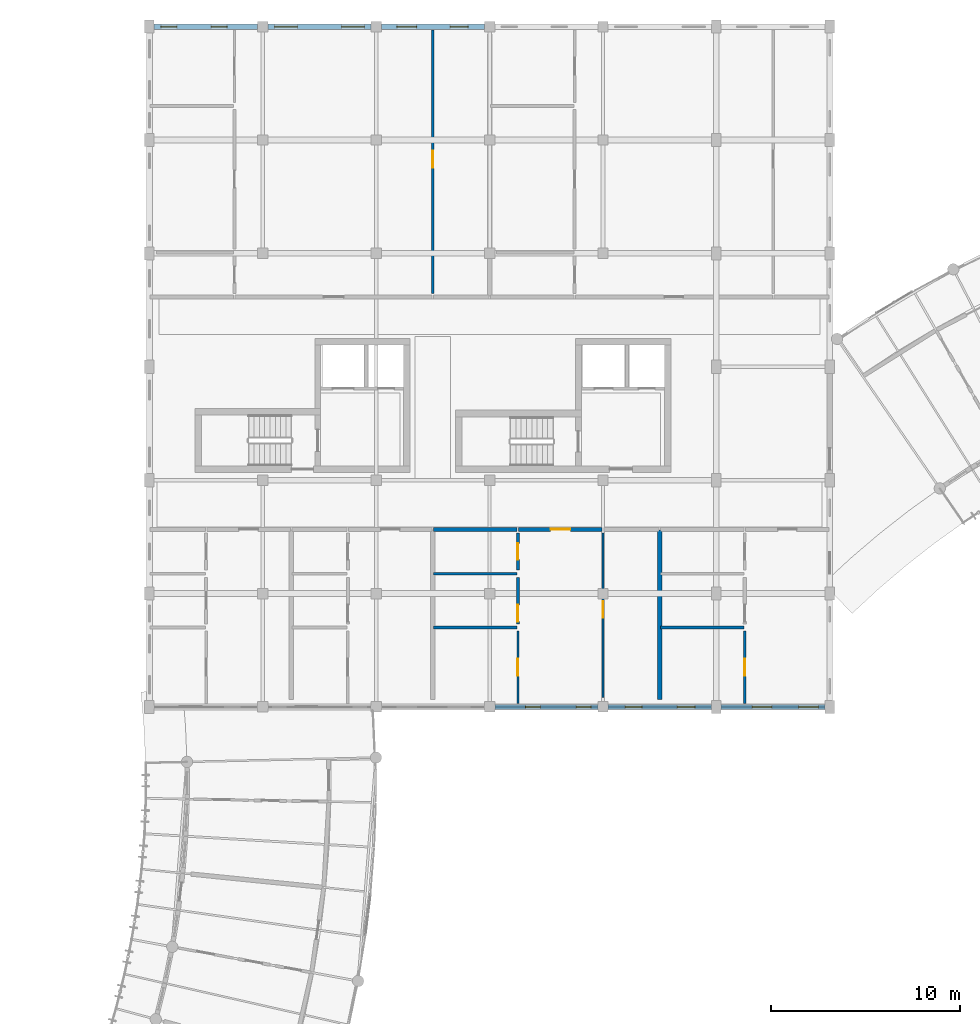
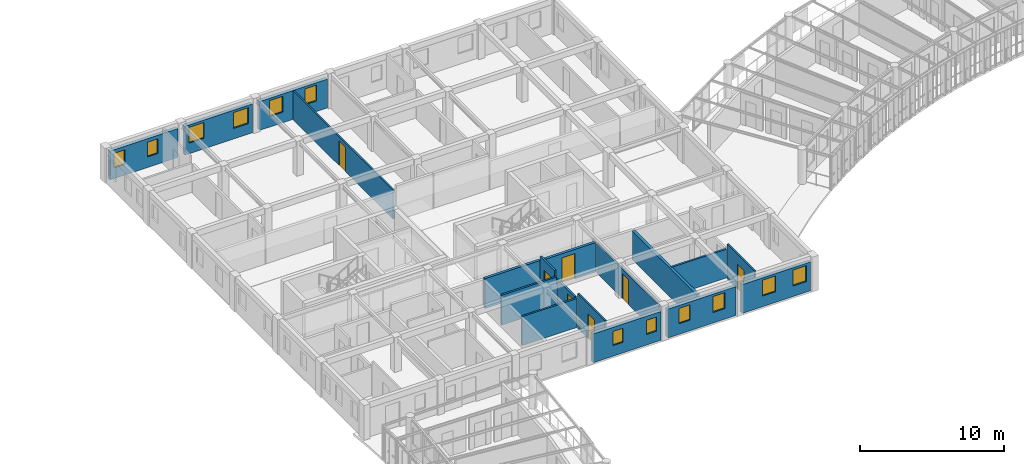
# One storey, part 70 of 101: 18 walls, 12 windows, 7 doors, 19 openings.
"""IFC4 building model written with IfcOpenShell, lengths in metres."""

from ifc_helpers import new_model, si_unit, direction, frame, frame_2d, origin, place, context, subcontext, project, spatial, rectangle, extrude, material, layer, layer_set, type_object, element, fill, save


model = new_model("IFC4")

# Units and contexts
model_context = context("Model", 3, precision=1e-05, world=origin(), true_north=direction((0.0, 1.0)))
body_context = subcontext(model_context, "Body", "Model", "MODEL_VIEW")
ifc_project = project(units=[si_unit("LENGTHUNIT", "METRE"), si_unit("AREAUNIT", "SQUARE_METRE"), si_unit("VOLUMEUNIT", "CUBIC_METRE"), si_unit("PLANEANGLEUNIT", "RADIAN"), si_unit("MASSUNIT", "GRAM", prefix="KILO"), si_unit("POWERUNIT", "WATT"), si_unit("THERMODYNAMICTEMPERATUREUNIT", "KELVIN")], contexts=[model_context])

# Site, building, storey
site_placement = place(None, origin())
site = spatial("IfcSite", under=ifc_project, at=site_placement, CompositionType="ELEMENT")
building_placement = place(site_placement, origin())
building = spatial("IfcBuilding", under=site, at=building_placement, Name="Ruvembo Vaulted Housing Court", CompositionType="ELEMENT")
storey_placement = place(building_placement, frame((0.0, 0.0, 17.300048828125)))
storey = spatial("IfcBuildingStorey", under=building, at=storey_placement, Name="L05", CompositionType="ELEMENT", Elevation=17.300048828125)

# Wall
ifc_material_1 = material(Name="Concrete Blockwork 210", Category="masonry")
ifc_layer_1 = layer(ifc_material_1, 0.2099609375, Name="Concrete Blockwork 210")
ifc_layer_set_1 = layer_set([ifc_layer_1], Name="Concrete Blockwork 210")
wall_type_1 = type_object("IfcWallType", Name="WL-CORR-210", PredefinedType="SOLIDWALL", material=ifc_layer_set_1)
wall_1_placement = place(storey_placement, frame((63.0400390625, 87.39990234375, 0.0), z_axis=(0.0, 0.0, 1.0), x_axis=(1.0, 0.0, 0.0)))
element("IfcWall", 1, at=wall_1_placement, inside=storey, type_object=wall_type_1, Name="L05 Flat B-L05-S3 Corridor Wall WL-INT-L05-01449", PredefinedType="SOLIDWALL", context=body_context, shape_type="SweptSolid", body=[
    extrude(rectangle(XDim=4.419921875, YDim=0.2099609375, at=frame_2d((2.2099609375, 0.0))), origin(), (0.0, 0.0, 1.0), 2.5478515625),
])

# Wall, opening, door
wall_2_placement = place(storey_placement, frame((67.5400390625, 87.39990234375, 0.0), z_axis=(0.0, 0.0, 1.0), x_axis=(1.0, 0.0, 0.0)))
wall_2 = element("IfcWall", 2, at=wall_2_placement, inside=storey, type_object=wall_type_1, Name="L05 Flat B-L05-S3 Entrance WL-INT-L05-01450", PredefinedType="SOLIDWALL", context=body_context, shape_type="SweptSolid", body=[
    extrude(rectangle(XDim=4.419921875, YDim=0.2099609375, at=frame_2d((2.2099609375, 0.0))), origin(), (0.0, 0.0, 1.0), 2.508056640625),
])
opening_1_placement = place(wall_2_placement, frame((1.68505859375, 0.0, 0.0)))
opening_1 = element("IfcOpeningElement", 3, at=opening_1_placement, cuts=wall_2, Name="Opening FD3", PredefinedType="OPENING", context=body_context, shape_type="SweptSolid", body=[
    extrude(rectangle(XDim=1.050048828125, YDim=2.14990234375, at=frame_2d((0.52490234375, 1.074951171875))), frame((0.0, 0.114990234375, 0.0), z_axis=(0.0, -1.0, 0.0), x_axis=(1.0, 0.0, 0.0)), (0.0, 0.0, 1.0), 0.22998046875),
])
ifc_material_2 = material(Name="FSC Hardwood and Engineered Timber", Category="wood")
door_type_1 = type_object("IfcDoorType", Name="DR-FLAT-1050x2150", OperationType="NOTDEFINED", PredefinedType="DOOR", material=ifc_material_2)
door_1_placement = place(opening_1_placement, origin())
door_1 = element("IfcDoor", 4, at=door_1_placement, inside=storey, type_object=door_type_1, Name="L05 Flat B-L05-S3 Entrance Door DR-INT-L05-00815", OperationType="SINGLE_SWING_LEFT", OverallHeight=2.14990234375, OverallWidth=1.050048828125, PredefinedType="DOOR", context=body_context, shape_type="SweptSolid", body=[
    extrude(rectangle(XDim=1.050048828125, YDim=2.14990234375, at=frame_2d((0.52490234375, 1.074951171875))), frame((0.0, 0.02490234375, 0.0), z_axis=(0.0, -1.0, 0.0), x_axis=(1.0, 0.0, 0.0)), (0.0, 0.0, 1.0), 0.050048828125),
])
fill(opening_1, door_1)

# Wall
ifc_material_3 = material(Name="Acoustic Masonry Demising 230", Category="masonry")
ifc_layer_2 = layer(ifc_material_3, 0.22998046875, Name="Acoustic Masonry Demising 230")
ifc_layer_set_2 = layer_set([ifc_layer_2], Name="Acoustic Masonry Demising 230")
wall_type_2 = type_object("IfcWallType", Name="WL-DEM-230", PredefinedType="SOLIDWALL", material=ifc_layer_set_2)
wall_3_placement = place(storey_placement, frame((75.0, 78.389892578125, 0.0), z_axis=(0.0, 0.0, 1.0), x_axis=(0.0, 1.0, 0.0)))
element("IfcWall", 5, at=wall_3_placement, inside=storey, type_object=wall_type_2, Name="L05 Demising B-L05-S3 WL-INT-L05-01448", PredefinedType="SOLIDWALL", context=body_context, shape_type="SweptSolid", body=[
    extrude(rectangle(XDim=8.97021484375, YDim=0.22998046875, at=frame_2d((4.485107421875, 0.0))), origin(), (0.0, 0.0, 1.0), 2.447021484375),
])

# Wall, openings, windows
ifc_material_4 = material(Name="Rendered Masonry 285", Category="masonry")
ifc_layer_3 = layer(ifc_material_4, 0.284912109375, Name="Rendered Masonry 285")
ifc_layer_set_3 = layer_set([ifc_layer_3], Name="Rendered Masonry 285")
wall_type_3 = type_object("IfcWallType", Name="WL-EXT-285", PredefinedType="STANDARD", material=ifc_layer_set_3)
wall_4_placement = place(storey_placement, frame((66.27490234375, 78.0, 0.0), z_axis=(0.0, 0.0, 1.0), x_axis=(1.0, 0.0, 0.0)))
wall_4 = element("IfcWall", 6, at=wall_4_placement, inside=storey, type_object=wall_type_3, Name="Block B L05 Exterior Wall COURTYARD #4", PredefinedType="STANDARD", context=body_context, shape_type="SweptSolid", body=[
    extrude(rectangle(XDim=5.4501953125, YDim=0.284912109375, at=frame_2d((2.72509765625, 0.0))), origin(), (0.0, 0.0, 1.0), 2.447021484375),
])
opening_2_placement = place(wall_4_placement, frame((1.614990234375, 0.0, 0.89990234375)))
opening_2 = element("IfcOpeningElement", 7, at=opening_2_placement, cuts=wall_4, Name="Opening W02", PredefinedType="OPENING", context=body_context, shape_type="SweptSolid", body=[
    extrude(rectangle(XDim=0.800048828125, YDim=1.199951171875, at=frame_2d((0.39990234375, 0.60009765625))), frame((0.0, 0.15234375, 0.0), z_axis=(0.0, -1.0, 0.0), x_axis=(1.0, 0.0, 0.0)), (0.0, 0.0, 1.0), 0.304931640625),
])
opening_3_placement = place(wall_4_placement, frame((4.300048828125, 0.0, 0.89990234375)))
opening_3 = element("IfcOpeningElement", 8, at=opening_3_placement, cuts=wall_4, Name="Opening W02", PredefinedType="OPENING", context=body_context, shape_type="SweptSolid", body=[
    extrude(rectangle(XDim=0.800048828125, YDim=1.199951171875, at=frame_2d((0.39990234375, 0.60009765625))), frame((0.0, 0.15234375, 0.0), z_axis=(0.0, -1.0, 0.0), x_axis=(1.0, 0.0, 0.0)), (0.0, 0.0, 1.0), 0.304931640625),
])
ifc_material_5 = material(Name="Double Solar-Control Glazing in Aluminium Frame", Category="aluminium")
window_type_1 = type_object("IfcWindowType", Name="WIN-0800x1200", PartitioningType="SINGLE_PANEL", PredefinedType="WINDOW", material=ifc_material_5)
window_1_placement = place(opening_2_placement, origin())
window_1 = element("IfcWindow", 9, at=window_1_placement, inside=storey, type_object=window_type_1, Name="Block B L05 Window #816", OverallHeight=1.199951171875, OverallWidth=0.800048828125, PartitioningType="SINGLE_PANEL", PredefinedType="WINDOW", context=body_context, shape_type="SweptSolid", body=[
    extrude(rectangle(XDim=0.800048828125, YDim=1.199951171875, at=frame_2d((0.39990234375, 0.60009765625))), frame((0.0, 0.030029296875, 0.0), z_axis=(0.0, -1.0, 0.0), x_axis=(1.0, 0.0, 0.0)), (0.0, 0.0, 1.0), 0.06005859375),
])
fill(opening_2, window_1)
window_2_placement = place(opening_3_placement, origin())
window_2 = element("IfcWindow", 10, at=window_2_placement, inside=storey, type_object=window_type_1, Name="Block B L05 Window #817", OverallHeight=1.199951171875, OverallWidth=0.800048828125, PartitioningType="SINGLE_PANEL", PredefinedType="WINDOW", context=body_context, shape_type="SweptSolid", body=[
    extrude(rectangle(XDim=0.800048828125, YDim=1.199951171875, at=frame_2d((0.39990234375, 0.60009765625))), frame((0.0, 0.030029296875, 0.0), z_axis=(0.0, -1.0, 0.0), x_axis=(1.0, 0.0, 0.0)), (0.0, 0.0, 1.0), 0.06005859375),
])
fill(opening_3, window_2)

wall_5_placement = place(storey_placement, frame((72.27490234375, 78.0, 0.0), z_axis=(0.0, 0.0, 1.0), x_axis=(1.0, 0.0, 0.0)))
wall_5 = element("IfcWall", 11, at=wall_5_placement, inside=storey, type_object=wall_type_3, Name="Block B L05 Exterior Wall COURTYARD #5", PredefinedType="STANDARD", context=body_context, shape_type="SweptSolid", body=[
    extrude(rectangle(XDim=5.47509765625, YDim=0.284912109375, at=frame_2d((2.737548828125, 0.0))), origin(), (0.0, 0.0, 1.0), 2.447021484375),
])
opening_4_placement = place(wall_5_placement, frame((0.892578125, 0.0, 0.89990234375)))
opening_4 = element("IfcOpeningElement", 12, at=opening_4_placement, cuts=wall_5, Name="Opening W04", PredefinedType="OPENING", context=body_context, shape_type="SweptSolid", body=[
    extrude(rectangle(XDim=0.89990234375, YDim=1.300048828125, at=frame_2d((0.449951171875, 0.64990234375))), frame((0.0, 0.15234375, 0.0), z_axis=(0.0, -1.0, 0.0), x_axis=(1.0, 0.0, 0.0)), (0.0, 0.0, 1.0), 0.304931640625),
])
opening_5_placement = place(wall_5_placement, frame((3.64501953125, 0.0, 0.89990234375)))
opening_5 = element("IfcOpeningElement", 13, at=opening_5_placement, cuts=wall_5, Name="Opening W07", PredefinedType="OPENING", context=body_context, shape_type="SweptSolid", body=[
    extrude(rectangle(XDim=0.949951171875, YDim=1.35009765625, at=frame_2d((0.47509765625, 0.675048828125))), frame((0.0, 0.15234375, 0.0), z_axis=(0.0, -1.0, 0.0), x_axis=(1.0, 0.0, 0.0)), (0.0, 0.0, 1.0), 0.304931640625),
])
window_type_2 = type_object("IfcWindowType", Name="WIN-0900x1300", PartitioningType="SINGLE_PANEL", PredefinedType="WINDOW", material=ifc_material_5)
window_3_placement = place(opening_4_placement, origin())
window_3 = element("IfcWindow", 14, at=window_3_placement, inside=storey, type_object=window_type_2, Name="Block B L05 Window #818", OverallHeight=1.300048828125, OverallWidth=0.89990234375, PartitioningType="SINGLE_PANEL", PredefinedType="WINDOW", context=body_context, shape_type="SweptSolid", body=[
    extrude(rectangle(XDim=0.89990234375, YDim=1.300048828125, at=frame_2d((0.449951171875, 0.64990234375))), frame((0.0, 0.030029296875, 0.0), z_axis=(0.0, -1.0, 0.0), x_axis=(1.0, 0.0, 0.0)), (0.0, 0.0, 1.0), 0.06005859375),
])
fill(opening_4, window_3)
window_type_3 = type_object("IfcWindowType", Name="WIN-0950x1350", PartitioningType="SINGLE_PANEL", PredefinedType="WINDOW", material=ifc_material_5)
window_4_placement = place(opening_5_placement, origin())
window_4 = element("IfcWindow", 15, at=window_4_placement, inside=storey, type_object=window_type_3, Name="Block B L05 Window #819", OverallHeight=1.35009765625, OverallWidth=0.949951171875, PartitioningType="SINGLE_PANEL", PredefinedType="WINDOW", context=body_context, shape_type="SweptSolid", body=[
    extrude(rectangle(XDim=0.949951171875, YDim=1.35009765625, at=frame_2d((0.47509765625, 0.675048828125))), frame((0.0, 0.030029296875, 0.0), z_axis=(0.0, -1.0, 0.0), x_axis=(1.0, 0.0, 0.0)), (0.0, 0.0, 1.0), 0.06005859375),
])
fill(opening_5, window_4)

wall_6_placement = place(storey_placement, frame((78.25, 78.0, 0.0), z_axis=(0.0, 0.0, 1.0), x_axis=(1.0, 0.0, 0.0)))
wall_6 = element("IfcWall", 16, at=wall_6_placement, inside=storey, type_object=wall_type_3, Name="Block B L05 Exterior Wall COURTYARD #6", PredefinedType="STANDARD", context=body_context, shape_type="SweptSolid", body=[
    extrude(rectangle(XDim=5.5, YDim=0.284912109375, at=frame_2d((2.75, 0.0))), origin(), (0.0, 0.0, 1.0), 2.447021484375),
])
opening_6_placement = place(wall_6_placement, frame((1.639892578125, 0.0, 0.89990234375)))
opening_6 = element("IfcOpeningElement", 17, at=opening_6_placement, cuts=wall_6, Name="Opening W09", PredefinedType="OPENING", context=body_context, shape_type="SweptSolid", body=[
    extrude(rectangle(XDim=1.050048828125, YDim=1.35009765625, at=frame_2d((0.52490234375, 0.675048828125))), frame((0.0, 0.15234375, 0.0), z_axis=(0.0, -1.0, 0.0), x_axis=(1.0, 0.0, 0.0)), (0.0, 0.0, 1.0), 0.304931640625),
])
opening_7_placement = place(wall_6_placement, frame((4.10009765625, 0.0, 0.89990234375)))
opening_7 = element("IfcOpeningElement", 18, at=opening_7_placement, cuts=wall_6, Name="Opening W09", PredefinedType="OPENING", context=body_context, shape_type="SweptSolid", body=[
    extrude(rectangle(XDim=1.050048828125, YDim=1.35009765625, at=frame_2d((0.52490234375, 0.675048828125))), frame((0.0, 0.15234375, 0.0), z_axis=(0.0, -1.0, 0.0), x_axis=(1.0, 0.0, 0.0)), (0.0, 0.0, 1.0), 0.304931640625),
])
window_type_4 = type_object("IfcWindowType", Name="WIN-1050x1350", PartitioningType="SINGLE_PANEL", PredefinedType="WINDOW", material=ifc_material_5)
window_5_placement = place(opening_6_placement, origin())
window_5 = element("IfcWindow", 19, at=window_5_placement, inside=storey, type_object=window_type_4, Name="Block B L05 Window #820", OverallHeight=1.35009765625, OverallWidth=1.050048828125, PartitioningType="SINGLE_PANEL", PredefinedType="WINDOW", context=body_context, shape_type="SweptSolid", body=[
    extrude(rectangle(XDim=1.050048828125, YDim=1.35009765625, at=frame_2d((0.52490234375, 0.675048828125))), frame((0.0, 0.030029296875, 0.0), z_axis=(0.0, -1.0, 0.0), x_axis=(1.0, 0.0, 0.0)), (0.0, 0.0, 1.0), 0.06005859375),
])
fill(opening_6, window_5)
window_6_placement = place(opening_7_placement, origin())
window_6 = element("IfcWindow", 20, at=window_6_placement, inside=storey, type_object=window_type_4, Name="Block B L05 Window #821", OverallHeight=1.35009765625, OverallWidth=1.050048828125, PartitioningType="SINGLE_PANEL", PredefinedType="WINDOW", context=body_context, shape_type="SweptSolid", body=[
    extrude(rectangle(XDim=1.050048828125, YDim=1.35009765625, at=frame_2d((0.52490234375, 0.675048828125))), frame((0.0, 0.030029296875, 0.0), z_axis=(0.0, -1.0, 0.0), x_axis=(1.0, 0.0, 0.0)), (0.0, 0.0, 1.0), 0.06005859375),
])
fill(opening_7, window_6)

wall_7_placement = place(storey_placement, frame((65.72509765625, 114.0, 0.0), z_axis=(0.0, 0.0, 1.0), x_axis=(-1.0, 0.0, 0.0)))
wall_7 = element("IfcWall", 21, at=wall_7_placement, inside=storey, type_object=wall_type_3, Name="Block B L05 Exterior Wall STREET #4", PredefinedType="STANDARD", context=body_context, shape_type="SweptSolid", body=[
    extrude(rectangle(XDim=5.4501953125, YDim=0.284912109375, at=frame_2d((2.72509765625, 0.0))), origin(), (0.0, 0.0, 1.0), 2.447021484375),
])
opening_8_placement = place(wall_7_placement, frame((0.867431640625, 0.0, 0.89990234375)))
opening_8 = element("IfcOpeningElement", 22, at=opening_8_placement, cuts=wall_7, Name="Opening W07", PredefinedType="OPENING", context=body_context, shape_type="SweptSolid", body=[
    extrude(rectangle(XDim=0.949951171875, YDim=1.35009765625, at=frame_2d((0.47509765625, 0.675048828125))), frame((0.0, 0.15234375, 0.0), z_axis=(0.0, -1.0, 0.0), x_axis=(1.0, 0.0, 0.0)), (0.0, 0.0, 1.0), 0.304931640625),
])
opening_9_placement = place(wall_7_placement, frame((3.58251953125, 0.0, 0.89990234375)))
opening_9 = element("IfcOpeningElement", 23, at=opening_9_placement, cuts=wall_7, Name="Opening W09", PredefinedType="OPENING", context=body_context, shape_type="SweptSolid", body=[
    extrude(rectangle(XDim=1.050048828125, YDim=1.35009765625, at=frame_2d((0.52490234375, 0.675048828125))), frame((0.0, 0.15234375, 0.0), z_axis=(0.0, -1.0, 0.0), x_axis=(1.0, 0.0, 0.0)), (0.0, 0.0, 1.0), 0.304931640625),
])
window_7_placement = place(opening_8_placement, origin())
window_7 = element("IfcWindow", 24, at=window_7_placement, inside=storey, type_object=window_type_3, Name="Block B L05 Window #837", OverallHeight=1.35009765625, OverallWidth=0.949951171875, PartitioningType="SINGLE_PANEL", PredefinedType="WINDOW", context=body_context, shape_type="SweptSolid", body=[
    extrude(rectangle(XDim=0.949951171875, YDim=1.35009765625, at=frame_2d((0.47509765625, 0.675048828125))), frame((0.0, 0.030029296875, 0.0), z_axis=(0.0, -1.0, 0.0), x_axis=(1.0, 0.0, 0.0)), (0.0, 0.0, 1.0), 0.06005859375),
])
fill(opening_8, window_7)
window_8_placement = place(opening_9_placement, origin())
window_8 = element("IfcWindow", 25, at=window_8_placement, inside=storey, type_object=window_type_4, Name="Block B L05 Window #838", OverallHeight=1.35009765625, OverallWidth=1.050048828125, PartitioningType="SINGLE_PANEL", PredefinedType="WINDOW", context=body_context, shape_type="SweptSolid", body=[
    extrude(rectangle(XDim=1.050048828125, YDim=1.35009765625, at=frame_2d((0.52490234375, 0.675048828125))), frame((0.0, 0.030029296875, 0.0), z_axis=(0.0, -1.0, 0.0), x_axis=(1.0, 0.0, 0.0)), (0.0, 0.0, 1.0), 0.06005859375),
])
fill(opening_9, window_8)

wall_8_placement = place(storey_placement, frame((59.72509765625, 114.0, 0.0), z_axis=(0.0, 0.0, 1.0), x_axis=(-1.0, 0.0, 0.0)))
wall_8 = element("IfcWall", 26, at=wall_8_placement, inside=storey, type_object=wall_type_3, Name="Block B L05 Exterior Wall STREET #5", PredefinedType="STANDARD", context=body_context, shape_type="SweptSolid", body=[
    extrude(rectangle(XDim=5.4501953125, YDim=0.284912109375, at=frame_2d((2.72509765625, 0.0))), origin(), (0.0, 0.0, 1.0), 2.447021484375),
])
opening_10_placement = place(wall_8_placement, frame((0.35009765625, 0.0, 0.89990234375)))
opening_10 = element("IfcOpeningElement", 27, at=opening_10_placement, cuts=wall_8, Name="Opening W12", PredefinedType="OPENING", context=body_context, shape_type="SweptSolid", body=[
    extrude(rectangle(XDim=1.199951171875, YDim=1.35009765625, at=frame_2d((0.60009765625, 0.675048828125))), frame((0.0, 0.15234375, 0.0), z_axis=(0.0, -1.0, 0.0), x_axis=(1.0, 0.0, 0.0)), (0.0, 0.0, 1.0), 0.304931640625),
])
opening_11_placement = place(wall_8_placement, frame((3.89990234375, 0.0, 0.89990234375)))
opening_11 = element("IfcOpeningElement", 28, at=opening_11_placement, cuts=wall_8, Name="Opening W12", PredefinedType="OPENING", context=body_context, shape_type="SweptSolid", body=[
    extrude(rectangle(XDim=1.199951171875, YDim=1.35009765625, at=frame_2d((0.60009765625, 0.675048828125))), frame((0.0, 0.15234375, 0.0), z_axis=(0.0, -1.0, 0.0), x_axis=(1.0, 0.0, 0.0)), (0.0, 0.0, 1.0), 0.304931640625),
])
window_type_5 = type_object("IfcWindowType", Name="WIN-1200x1350", PartitioningType="SINGLE_PANEL", PredefinedType="WINDOW", material=ifc_material_5)
window_9_placement = place(opening_10_placement, origin())
window_9 = element("IfcWindow", 29, at=window_9_placement, inside=storey, type_object=window_type_5, Name="Block B L05 Window #839", OverallHeight=1.35009765625, OverallWidth=1.199951171875, PartitioningType="SINGLE_PANEL", PredefinedType="WINDOW", context=body_context, shape_type="SweptSolid", body=[
    extrude(rectangle(XDim=1.199951171875, YDim=1.35009765625, at=frame_2d((0.60009765625, 0.675048828125))), frame((0.0, 0.030029296875, 0.0), z_axis=(0.0, -1.0, 0.0), x_axis=(1.0, 0.0, 0.0)), (0.0, 0.0, 1.0), 0.06005859375),
])
fill(opening_10, window_9)
window_10_placement = place(opening_11_placement, origin())
window_10 = element("IfcWindow", 30, at=window_10_placement, inside=storey, type_object=window_type_5, Name="Block B L05 Window #840", OverallHeight=1.35009765625, OverallWidth=1.199951171875, PartitioningType="SINGLE_PANEL", PredefinedType="WINDOW", context=body_context, shape_type="SweptSolid", body=[
    extrude(rectangle(XDim=1.199951171875, YDim=1.35009765625, at=frame_2d((0.60009765625, 0.675048828125))), frame((0.0, 0.030029296875, 0.0), z_axis=(0.0, -1.0, 0.0), x_axis=(1.0, 0.0, 0.0)), (0.0, 0.0, 1.0), 0.06005859375),
])
fill(opening_11, window_10)

wall_9_placement = place(storey_placement, frame((53.72509765625, 114.0, 0.0), z_axis=(0.0, 0.0, 1.0), x_axis=(-1.0, 0.0, 0.0)))
wall_9 = element("IfcWall", 31, at=wall_9_placement, inside=storey, type_object=wall_type_3, Name="Block B L05 Exterior Wall STREET #6", PredefinedType="STANDARD", context=body_context, shape_type="SweptSolid", body=[
    extrude(rectangle(XDim=5.47509765625, YDim=0.284912109375, at=frame_2d((2.737548828125, 0.0))), origin(), (0.0, 0.0, 1.0), 2.447021484375),
])
opening_12_placement = place(wall_9_placement, frame((1.614990234375, 0.0, 0.89990234375)))
opening_12 = element("IfcOpeningElement", 32, at=opening_12_placement, cuts=wall_9, Name="Opening W03", PredefinedType="OPENING", context=body_context, shape_type="SweptSolid", body=[
    extrude(rectangle(XDim=0.85009765625, YDim=1.25, at=frame_2d((0.425048828125, 0.625))), frame((0.0, 0.15234375, 0.0), z_axis=(0.0, -1.0, 0.0), x_axis=(1.0, 0.0, 0.0)), (0.0, 0.0, 1.0), 0.304931640625),
])
opening_13_placement = place(wall_9_placement, frame((4.27490234375, 0.0, 0.89990234375)))
opening_13 = element("IfcOpeningElement", 33, at=opening_13_placement, cuts=wall_9, Name="Opening W03", PredefinedType="OPENING", context=body_context, shape_type="SweptSolid", body=[
    extrude(rectangle(XDim=0.85009765625, YDim=1.25, at=frame_2d((0.425048828125, 0.625))), frame((0.0, 0.15234375, 0.0), z_axis=(0.0, -1.0, 0.0), x_axis=(1.0, 0.0, 0.0)), (0.0, 0.0, 1.0), 0.304931640625),
])
window_type_6 = type_object("IfcWindowType", Name="WIN-0850x1250", PartitioningType="SINGLE_PANEL", PredefinedType="WINDOW", material=ifc_material_5)
window_11_placement = place(opening_12_placement, origin())
window_11 = element("IfcWindow", 34, at=window_11_placement, inside=storey, type_object=window_type_6, Name="Block B L05 Window #841", OverallHeight=1.25, OverallWidth=0.85009765625, PartitioningType="SINGLE_PANEL", PredefinedType="WINDOW", context=body_context, shape_type="SweptSolid", body=[
    extrude(rectangle(XDim=0.85009765625, YDim=1.25, at=frame_2d((0.425048828125, 0.625))), frame((0.0, 0.030029296875, 0.0), z_axis=(0.0, -1.0, 0.0), x_axis=(1.0, 0.0, 0.0)), (0.0, 0.0, 1.0), 0.06005859375),
])
fill(opening_12, window_11)
window_12_placement = place(opening_13_placement, origin())
window_12 = element("IfcWindow", 35, at=window_12_placement, inside=storey, type_object=window_type_6, Name="Block B L05 Window #842", OverallHeight=1.25, OverallWidth=0.85009765625, PartitioningType="SINGLE_PANEL", PredefinedType="WINDOW", context=body_context, shape_type="SweptSolid", body=[
    extrude(rectangle(XDim=0.85009765625, YDim=1.25, at=frame_2d((0.425048828125, 0.625))), frame((0.0, 0.030029296875, 0.0), z_axis=(0.0, -1.0, 0.0), x_axis=(1.0, 0.0, 0.0)), (0.0, 0.0, 1.0), 0.06005859375),
])
fill(opening_13, window_12)

# Wall, opening, door
ifc_material_6 = material(Name="Plasterboard Stud Partition 125", Category="gypsum")
ifc_layer_4 = layer(ifc_material_6, 0.125, Name="Plasterboard Stud Partition 125")
ifc_layer_set_4 = layer_set([ifc_layer_4], Name="Plasterboard Stud Partition 125")
wall_type_4 = type_object("IfcWallType", Name="WL-PART-125", PredefinedType="PARTITIONING", material=ifc_layer_set_4)
wall_10_placement = place(storey_placement, frame((67.5, 78.18994140625, 0.0), z_axis=(0.0, 0.0, 1.0), x_axis=(0.0, 1.0, 0.0)))
wall_10 = element("IfcWall", 36, at=wall_10_placement, inside=storey, type_object=wall_type_4, Name="L05 Flat B-L05-S3 Bedroom 1 WL-INT-L05-01451", PredefinedType="PARTITIONING", context=body_context, shape_type="SweptSolid", body=[
    extrude(rectangle(XDim=3.820068359375, YDim=0.125, at=frame_2d((1.91015625, 0.0))), origin(), (0.0, 0.0, 1.0), 2.96484375),
])
opening_14_placement = place(wall_10_placement, frame((1.4599609375, 0.0, 0.0)))
opening_14 = element("IfcOpeningElement", 37, at=opening_14_placement, cuts=wall_10, Name="Opening ID1", PredefinedType="OPENING", context=body_context, shape_type="SweptSolid", body=[
    extrude(rectangle(XDim=0.89990234375, YDim=2.10009765625, at=frame_2d((0.449951171875, 1.050048828125))), frame((0.0, 0.072509765625, 0.0), z_axis=(0.0, -1.0, 0.0), x_axis=(1.0, 0.0, 0.0)), (0.0, 0.0, 1.0), 0.14501953125),
])
door_type_2 = type_object("IfcDoorType", Name="DR-ROOM-0900x2100", OperationType="NOTDEFINED", PredefinedType="DOOR", material=ifc_material_2)
door_2_placement = place(opening_14_placement, origin())
door_2 = element("IfcDoor", 38, at=door_2_placement, inside=storey, type_object=door_type_2, Name="L05 Flat B-L05-S3 Bedroom 1 Door DR-INT-L05-00816", OperationType="SINGLE_SWING_RIGHT", OverallHeight=2.10009765625, OverallWidth=0.89990234375, PredefinedType="DOOR", context=body_context, shape_type="SweptSolid", body=[
    extrude(rectangle(XDim=0.89990234375, YDim=2.10009765625, at=frame_2d((0.449951171875, 1.050048828125))), frame((0.0, 0.02490234375, 0.0), z_axis=(0.0, -1.0, 0.0), x_axis=(1.0, 0.0, 0.0)), (0.0, 0.0, 1.0), 0.050048828125),
])
fill(opening_14, door_2)

wall_11_placement = place(storey_placement, frame((72.0, 78.510009765625, 0.0), z_axis=(0.0, 0.0, 1.0), x_axis=(0.0, 1.0, 0.0)))
wall_11 = element("IfcWall", 39, at=wall_11_placement, inside=storey, type_object=wall_type_4, Name="L05 Flat B-L05-S3 Bedroom 2 WL-INT-L05-01457", PredefinedType="PARTITIONING", context=body_context, shape_type="SweptSolid", body=[
    extrude(rectangle(XDim=8.699951171875, YDim=0.125, at=frame_2d((4.35009765625, 0.0))), origin(), (0.0, 0.0, 1.0), 2.508056640625),
])
opening_15_placement = place(wall_11_placement, frame((4.199951171875, 0.0, 0.0)))
opening_15 = element("IfcOpeningElement", 40, at=opening_15_placement, cuts=wall_11, Name="Opening ID3", PredefinedType="OPENING", context=body_context, shape_type="SweptSolid", body=[
    extrude(rectangle(XDim=0.8798828125, YDim=2.10009765625, at=frame_2d((0.43994140625, 1.050048828125))), frame((0.0, 0.072509765625, 0.0), z_axis=(0.0, -1.0, 0.0), x_axis=(1.0, 0.0, 0.0)), (0.0, 0.0, 1.0), 0.14501953125),
])
door_type_3 = type_object("IfcDoorType", Name="DR-ROOM-0880x2100", OperationType="NOTDEFINED", PredefinedType="DOOR", material=ifc_material_2)
door_3_placement = place(opening_15_placement, origin())
door_3 = element("IfcDoor", 41, at=door_3_placement, inside=storey, type_object=door_type_3, Name="L05 Flat B-L05-S3 Bedroom 2 Door DR-INT-L05-00819", OperationType="SINGLE_SWING_LEFT", OverallHeight=2.10009765625, OverallWidth=0.8798828125, PredefinedType="DOOR", context=body_context, shape_type="SweptSolid", body=[
    extrude(rectangle(XDim=0.8798828125, YDim=2.10009765625, at=frame_2d((0.43994140625, 1.050048828125))), frame((0.0, 0.02490234375, 0.0), z_axis=(0.0, -1.0, 0.0), x_axis=(1.0, 0.0, 0.0)), (0.0, 0.0, 1.0), 0.050048828125),
])
fill(opening_15, door_3)

wall_12_placement = place(storey_placement, frame((79.5, 78.18994140625, 0.0), z_axis=(0.0, 0.0, 1.0), x_axis=(0.0, 1.0, 0.0)))
wall_12 = element("IfcWall", 42, at=wall_12_placement, inside=storey, type_object=wall_type_4, Name="L05 Flat B-L05-S4 Bedroom 1 WL-INT-L05-01460", PredefinedType="PARTITIONING", context=body_context, shape_type="SweptSolid", body=[
    extrude(rectangle(XDim=3.820068359375, YDim=0.125, at=frame_2d((1.91015625, 0.0))), origin(), (0.0, 0.0, 1.0), 2.96484375),
])
opening_16_placement = place(wall_12_placement, frame((1.469970703125, 0.0, 0.0)))
opening_16 = element("IfcOpeningElement", 43, at=opening_16_placement, cuts=wall_12, Name="Opening ID3", PredefinedType="OPENING", context=body_context, shape_type="SweptSolid", body=[
    extrude(rectangle(XDim=0.8798828125, YDim=2.10009765625, at=frame_2d((0.43994140625, 1.050048828125))), frame((0.0, 0.072509765625, 0.0), z_axis=(0.0, -1.0, 0.0), x_axis=(1.0, 0.0, 0.0)), (0.0, 0.0, 1.0), 0.14501953125),
])
door_4_placement = place(opening_16_placement, origin())
door_4 = element("IfcDoor", 44, at=door_4_placement, inside=storey, type_object=door_type_3, Name="L05 Flat B-L05-S4 Bedroom 1 Door DR-INT-L05-00821", OperationType="SINGLE_SWING_LEFT", OverallHeight=2.10009765625, OverallWidth=0.8798828125, PredefinedType="DOOR", context=body_context, shape_type="SweptSolid", body=[
    extrude(rectangle(XDim=0.8798828125, YDim=2.10009765625, at=frame_2d((0.43994140625, 1.050048828125))), frame((0.0, 0.02490234375, 0.0), z_axis=(0.0, -1.0, 0.0), x_axis=(1.0, 0.0, 0.0)), (0.0, 0.0, 1.0), 0.050048828125),
])
fill(opening_16, door_4)

wall_13_placement = place(storey_placement, frame((63.0, 99.889892578125, 0.0), z_axis=(0.0, 0.0, 1.0), x_axis=(0.0, 1.0, 0.0)))
wall_13 = element("IfcWall", 45, at=wall_13_placement, inside=storey, type_object=wall_type_4, Name="L05 Flat B-L05-N1 Bedroom 2 WL-INT-L05-01474", PredefinedType="PARTITIONING", context=body_context, shape_type="SweptSolid", body=[
    extrude(rectangle(XDim=13.920166015625, YDim=0.125, at=frame_2d((6.9599609375, 0.0))), origin(), (0.0, 0.0, 1.0), 2.447021484375),
])
opening_17_placement = place(wall_13_placement, frame((6.64990234375, 0.0, 0.0)))
opening_17 = element("IfcOpeningElement", 46, at=opening_17_placement, cuts=wall_13, Name="Opening ID1", PredefinedType="OPENING", context=body_context, shape_type="SweptSolid", body=[
    extrude(rectangle(XDim=0.89990234375, YDim=2.10009765625, at=frame_2d((0.449951171875, 1.050048828125))), frame((0.0, 0.072509765625, 0.0), z_axis=(0.0, -1.0, 0.0), x_axis=(1.0, 0.0, 0.0)), (0.0, 0.0, 1.0), 0.14501953125),
])
door_5_placement = place(opening_17_placement, origin())
door_5 = element("IfcDoor", 47, at=door_5_placement, inside=storey, type_object=door_type_2, Name="L05 Flat B-L05-N1 Bedroom 2 Door DR-INT-L05-00828", OperationType="SINGLE_SWING_RIGHT", OverallHeight=2.10009765625, OverallWidth=0.89990234375, PredefinedType="DOOR", context=body_context, shape_type="SweptSolid", body=[
    extrude(rectangle(XDim=0.89990234375, YDim=2.10009765625, at=frame_2d((0.449951171875, 1.050048828125))), frame((0.0, 0.02490234375, 0.0), z_axis=(0.0, -1.0, 0.0), x_axis=(1.0, 0.0, 0.0)), (0.0, 0.0, 1.0), 0.050048828125),
])
fill(opening_17, door_5)

ifc_material_7 = material(Name="Moisture-Resistant Wet Partition 150", Category="gypsum")
ifc_layer_5 = layer(ifc_material_7, 0.14990234375, Name="Moisture-Resistant Wet Partition 150")
ifc_layer_set_5 = layer_set([ifc_layer_5], Name="Moisture-Resistant Wet Partition 150")
wall_type_5 = type_object("IfcWallType", Name="WL-PART-150", PredefinedType="PARTITIONING", material=ifc_layer_set_5)
wall_14_placement = place(storey_placement, frame((67.5, 85.239990234375, 0.0), z_axis=(0.0, 0.0, 1.0), x_axis=(0.0, 1.0, 0.0)))
wall_14 = element("IfcWall", 48, at=wall_14_placement, inside=storey, type_object=wall_type_5, Name="L05 Flat B-L05-S3 Bathroom WL-INT-L05-01453", PredefinedType="PARTITIONING", context=body_context, shape_type="SweptSolid", body=[
    extrude(rectangle(XDim=1.969970703125, YDim=0.14990234375, at=frame_2d((0.98486328125, 0.0))), origin(), (0.0, 0.0, 1.0), 2.96484375),
])
opening_18_placement = place(wall_14_placement, frame((0.56005859375, 0.0, 0.0)))
opening_18 = element("IfcOpeningElement", 49, at=opening_18_placement, cuts=wall_14, Name="Opening ID2", PredefinedType="OPENING", context=body_context, shape_type="SweptSolid", body=[
    extrude(rectangle(XDim=0.85009765625, YDim=2.10009765625, at=frame_2d((0.425048828125, 1.050048828125))), frame((0.0, 0.0849609375, 0.0), z_axis=(0.0, -1.0, 0.0), x_axis=(1.0, 0.0, 0.0)), (0.0, 0.0, 1.0), 0.169921875),
])
door_type_4 = type_object("IfcDoorType", Name="DR-WET-0850x2100", OperationType="NOTDEFINED", PredefinedType="DOOR", material=ifc_material_2)
door_6_placement = place(opening_18_placement, origin())
door_6 = element("IfcDoor", 50, at=door_6_placement, inside=storey, type_object=door_type_4, Name="L05 Flat B-L05-S3 Bathroom Door DR-INT-L05-00818", OperationType="SINGLE_SWING_RIGHT", OverallHeight=2.10009765625, OverallWidth=0.85009765625, PredefinedType="DOOR", context=body_context, shape_type="SweptSolid", body=[
    extrude(rectangle(XDim=0.85009765625, YDim=2.10009765625, at=frame_2d((0.425048828125, 1.050048828125))), frame((0.0, 0.02490234375, 0.0), z_axis=(0.0, -1.0, 0.0), x_axis=(1.0, 0.0, 0.0)), (0.0, 0.0, 1.0), 0.050048828125),
])
fill(opening_18, door_6)

# Walls
wall_15_placement = place(storey_placement, frame((63.0400390625, 82.199951171875, 0.0), z_axis=(0.0, 0.0, 1.0), x_axis=(1.0, 0.0, 0.0)))
element("IfcWall", 51, at=wall_15_placement, inside=storey, type_object=wall_type_5, Name="L05 Flat B-L05-S3 Wet Wall 1 WL-INT-L05-01454", PredefinedType="PARTITIONING", context=body_context, shape_type="SweptSolid", body=[
    extrude(rectangle(XDim=4.419921875, YDim=0.14990234375, at=frame_2d((2.2099609375, 0.0))), origin(), (0.0, 0.0, 1.0), 2.4580078125),
])
wall_16_placement = place(storey_placement, frame((63.0400390625, 85.050048828125, 0.0), z_axis=(0.0, 0.0, 1.0), x_axis=(1.0, 0.0, 0.0)))
element("IfcWall", 52, at=wall_16_placement, inside=storey, type_object=wall_type_5, Name="L05 Flat B-L05-S3 Wet Wall 2 WL-INT-L05-01455", PredefinedType="PARTITIONING", context=body_context, shape_type="SweptSolid", body=[
    extrude(rectangle(XDim=4.419921875, YDim=0.14990234375, at=frame_2d((2.2099609375, 0.0))), origin(), (0.0, 0.0, 1.0), 2.5478515625),
])
wall_17_placement = place(storey_placement, frame((75.0400390625, 82.199951171875, 0.0), z_axis=(0.0, 0.0, 1.0), x_axis=(1.0, 0.0, 0.0)))
element("IfcWall", 53, at=wall_17_placement, inside=storey, type_object=wall_type_5, Name="L05 Flat B-L05-S4 Wet Wall 1 WL-INT-L05-01463", PredefinedType="PARTITIONING", context=body_context, shape_type="SweptSolid", body=[
    extrude(rectangle(XDim=4.419921875, YDim=0.14990234375, at=frame_2d((2.2099609375, 0.0))), origin(), (0.0, 0.0, 1.0), 2.447021484375),
])

# Wall, opening, door
ifc_material_8 = material(Name="Acoustic Service Chase Wall 160", Category="gypsum")
ifc_layer_6 = layer(ifc_material_8, 0.159912109375, Name="Acoustic Service Chase Wall 160")
ifc_layer_set_6 = layer_set([ifc_layer_6], Name="Acoustic Service Chase Wall 160")
wall_type_6 = type_object("IfcWallType", Name="WL-PLUMB-160", PredefinedType="PLUMBINGWALL", material=ifc_layer_set_6)
wall_18_placement = place(storey_placement, frame((67.5, 82.389892578125, 0.0), z_axis=(0.0, 0.0, 1.0), x_axis=(0.0, 1.0, 0.0)))
wall_18 = element("IfcWall", 54, at=wall_18_placement, inside=storey, type_object=wall_type_6, Name="L05 Flat B-L05-S3 Kitchen WL-INT-L05-01452", PredefinedType="PLUMBINGWALL", context=body_context, shape_type="SweptSolid", body=[
    extrude(rectangle(XDim=2.47021484375, YDim=0.159912109375, at=frame_2d((1.235107421875, 0.0))), origin(), (0.0, 0.0, 1.0), 2.447021484375),
])
opening_19_placement = place(wall_18_placement, frame((0.1298828125, 0.0, 0.0)))
opening_19 = element("IfcOpeningElement", 55, at=opening_19_placement, cuts=wall_18, Name="Opening ID3", PredefinedType="OPENING", context=body_context, shape_type="SweptSolid", body=[
    extrude(rectangle(XDim=0.8798828125, YDim=2.10009765625, at=frame_2d((0.43994140625, 1.050048828125))), frame((0.0, 0.08984375, 0.0), z_axis=(0.0, -1.0, 0.0), x_axis=(1.0, 0.0, 0.0)), (0.0, 0.0, 1.0), 0.179931640625),
])
door_7_placement = place(opening_19_placement, origin())
door_7 = element("IfcDoor", 56, at=door_7_placement, inside=storey, type_object=door_type_3, Name="L05 Flat B-L05-S3 Kitchen Door DR-INT-L05-00817", OperationType="SINGLE_SWING_LEFT", OverallHeight=2.10009765625, OverallWidth=0.8798828125, PredefinedType="DOOR", context=body_context, shape_type="SweptSolid", body=[
    extrude(rectangle(XDim=0.8798828125, YDim=2.10009765625, at=frame_2d((0.43994140625, 1.050048828125))), frame((0.0, 0.02490234375, 0.0), z_axis=(0.0, -1.0, 0.0), x_axis=(1.0, 0.0, 0.0)), (0.0, 0.0, 1.0), 0.050048828125),
])
fill(opening_19, door_7)

save(model, "model.ifc")
